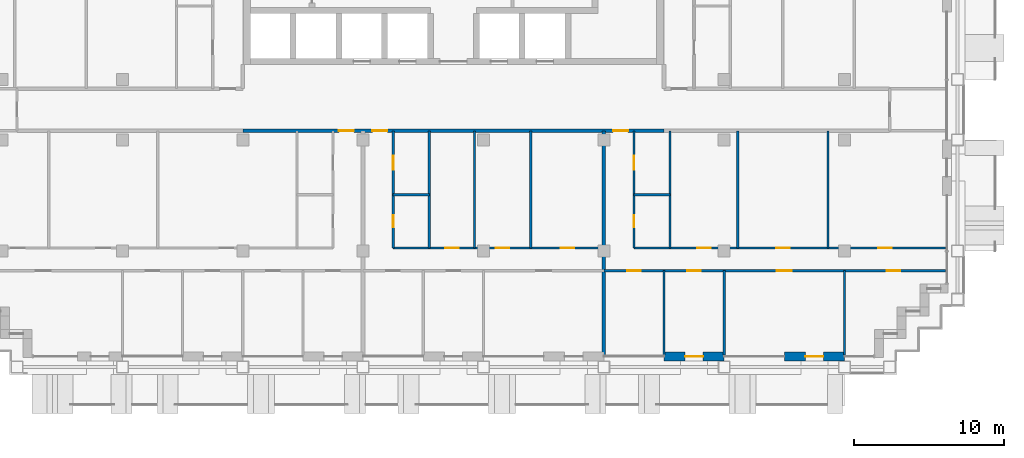
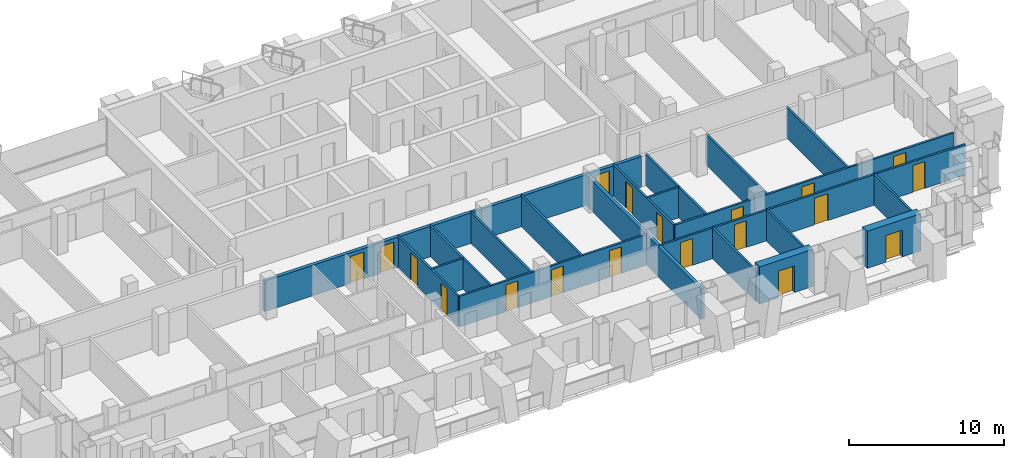
# One storey, part 9 of 16: 20 walls, 19 doors, 19 openings.
"""IFC4 building model written with IfcOpenShell, lengths in metres."""

from ifc_helpers import new_model, si_unit, direction, frame, frame_2d, origin, place, context, subcontext, project, spatial, rectangle, extrude, material, layer, layer_set, type_object, element, fill, save


model = new_model("IFC4")

# Units and contexts
model_context = context("Model", 3, precision=1e-05, world=origin(), true_north=direction((0.0, 1.0)))
body_context = subcontext(model_context, "Body", "Model", "MODEL_VIEW")
ifc_project = project(units=[si_unit("LENGTHUNIT", "METRE"), si_unit("AREAUNIT", "SQUARE_METRE"), si_unit("VOLUMEUNIT", "CUBIC_METRE"), si_unit("PLANEANGLEUNIT", "RADIAN"), si_unit("MASSUNIT", "GRAM", prefix="KILO")], contexts=[model_context])

# Site, building, storey
site_placement = place(None, origin())
site = spatial("IfcSite", under=ifc_project, at=site_placement, CompositionType="ELEMENT")
building_placement = place(site_placement, origin())
building = spatial("IfcBuilding", under=site, at=building_placement, Name="Vidyagriha Tower", CompositionType="ELEMENT")
storey_placement = place(building_placement, frame((0.0, 0.0, 132.60009765625)))
storey = spatial("IfcBuildingStorey", under=building, at=storey_placement, Name="L34", CompositionType="ELEMENT", Elevation=132.60009765625)

# Wall, opening, door
ifc_material_1 = material(Name="Precast concrete C40/50 with brick facing", Category="concrete")
ifc_layer_1 = layer(ifc_material_1, 0.60009765625)
ifc_layer_set_1 = layer_set([ifc_layer_1], Name="Precast concrete C40/50 with brick facing")
wall_type_1 = type_object("IfcWallType", Name="Brick-faced precast wall 600", PredefinedType="STANDARD", material=ifc_layer_set_1)
wall_1_placement = place(storey_placement, frame((14.0, -16.39990234375, 0.0)))
wall_1 = element("IfcWall", 1, at=wall_1_placement, inside=storey, type_object=wall_type_1, Name="Brick door bay wall L34 R23.12", PredefinedType="STANDARD", context=body_context, shape_type="SweptSolid", body=[
    extrude(rectangle(XDim=4.0, YDim=0.60009765625, at=frame_2d((2.0, 0.0))), origin(), (0.0, 0.0, 1.0), 2.919921875),
])
opening_1_placement = place(wall_1_placement, frame((1.39990234375, 0.0, 0.0)))
opening_1 = element("IfcOpeningElement", 2, at=opening_1_placement, cuts=wall_1, Name="Opening D34-72", PredefinedType="OPENING", context=body_context, shape_type="SweptSolid", body=[
    extrude(rectangle(XDim=1.199951171875, YDim=2.10009765625, at=frame_2d((0.60009765625, 1.050048828125))), frame((0.0, 0.31005859375, 0.0), z_axis=(0.0, -1.0, 0.0), x_axis=(1.0, 0.0, 0.0)), (0.0, 0.0, 1.0), 0.6201171875),
])
ifc_material_2 = material(Name="Aluminium framed glazed sliding door", Category="aluminium")
door_type_1 = type_object("IfcDoorType", Name="Balcony sliding door 1200x2100", OperationType="NOTDEFINED", PredefinedType="DOOR", material=ifc_material_2)
door_1_placement = place(opening_1_placement, origin())
door_1 = element("IfcDoor", 3, at=door_1_placement, inside=storey, type_object=door_type_1, Name="Door D34-72", OperationType="SLIDING_TO_LEFT", OverallHeight=2.10009765625, OverallWidth=1.199951171875, PredefinedType="DOOR", context=body_context, shape_type="SweptSolid", body=[
    extrude(rectangle(XDim=1.199951171875, YDim=2.10009765625, at=frame_2d((0.60009765625, 1.050048828125))), frame((0.0, 0.02490234375, 0.0), z_axis=(0.0, -1.0, 0.0), x_axis=(1.0, 0.0, 0.0)), (0.0, 0.0, 1.0), 0.050048828125),
])
fill(opening_1, door_1)

wall_2_placement = place(storey_placement, frame((22.0, -16.39990234375, 0.0)))
wall_2 = element("IfcWall", 4, at=wall_2_placement, inside=storey, type_object=wall_type_1, Name="Brick door bay wall L34 R23.14", PredefinedType="STANDARD", context=body_context, shape_type="SweptSolid", body=[
    extrude(rectangle(XDim=4.0, YDim=0.60009765625, at=frame_2d((2.0, 0.0))), origin(), (0.0, 0.0, 1.0), 2.919921875),
])
opening_2_placement = place(wall_2_placement, frame((1.39990234375, 0.0, 0.0)))
opening_2 = element("IfcOpeningElement", 5, at=opening_2_placement, cuts=wall_2, Name="Opening D34-73", PredefinedType="OPENING", context=body_context, shape_type="SweptSolid", body=[
    extrude(rectangle(XDim=1.199951171875, YDim=2.10009765625, at=frame_2d((0.60009765625, 1.050048828125))), frame((0.0, 0.31005859375, 0.0), z_axis=(0.0, -1.0, 0.0), x_axis=(1.0, 0.0, 0.0)), (0.0, 0.0, 1.0), 0.6201171875),
])
door_2_placement = place(opening_2_placement, origin())
door_2 = element("IfcDoor", 6, at=door_2_placement, inside=storey, type_object=door_type_1, Name="Door D34-73", OperationType="SLIDING_TO_LEFT", OverallHeight=2.10009765625, OverallWidth=1.199951171875, PredefinedType="DOOR", context=body_context, shape_type="SweptSolid", body=[
    extrude(rectangle(XDim=1.199951171875, YDim=2.10009765625, at=frame_2d((0.60009765625, 1.050048828125))), frame((0.0, 0.02490234375, 0.0), z_axis=(0.0, -1.0, 0.0), x_axis=(1.0, 0.0, 0.0)), (0.0, 0.0, 1.0), 0.050048828125),
])
fill(opening_2, door_2)

# Wall, openings, doors
ifc_material_3 = material(Name="Fired clay brick masonry", Category="masonry")
ifc_layer_2 = layer(ifc_material_3, 0.25)
ifc_layer_set_2 = layer_set([ifc_layer_2], Name="Fired clay brick masonry")
wall_type_2 = type_object("IfcWallType", Name="Fired clay brick corridor wall 250", PredefinedType="PARTITIONING", material=ifc_layer_set_2)
wall_3_placement = place(storey_placement, frame((14.0, -1.39990234375, 0.0), z_axis=(0.0, 0.0, 1.0), x_axis=(-1.0, 0.0, 0.0)))
wall_3 = element("IfcWall", 7, at=wall_3_placement, inside=storey, type_object=wall_type_2, Name="Wall all-L34-w112", PredefinedType="PARTITIONING", context=body_context, shape_type="SweptSolid", body=[
    extrude(rectangle(XDim=28.0, YDim=0.25, at=frame_2d((14.0, 0.0))), origin(), (0.0, 0.0, 1.0), 2.39990234375),
])
opening_3_placement = place(wall_3_placement, frame((20.617919921875, 0.0, 0.0)))
opening_3 = element("IfcOpeningElement", 8, at=opening_3_placement, cuts=wall_3, Name="Opening D34-25", PredefinedType="OPENING", context=body_context, shape_type="SweptSolid", body=[
    extrude(rectangle(XDim=1.0, YDim=2.10009765625, at=frame_2d((0.5, 1.050048828125))), frame((0.0, 0.135009765625, 0.0), z_axis=(0.0, -1.0, 0.0), x_axis=(1.0, 0.0, 0.0)), (0.0, 0.0, 1.0), 0.27001953125),
])
opening_4_placement = place(wall_3_placement, frame((18.382080078125, 0.0, 0.0)))
opening_4 = element("IfcOpeningElement", 9, at=opening_4_placement, cuts=wall_3, Name="Opening D34-34", PredefinedType="OPENING", context=body_context, shape_type="SweptSolid", body=[
    extrude(rectangle(XDim=1.0, YDim=2.10009765625, at=frame_2d((0.5, 1.050048828125))), frame((0.0, 0.135009765625, 0.0), z_axis=(0.0, -1.0, 0.0), x_axis=(1.0, 0.0, 0.0)), (0.0, 0.0, 1.0), 0.27001953125),
])
opening_5_placement = place(wall_3_placement, frame((2.382080078125, 0.0, 0.0)))
opening_5 = element("IfcOpeningElement", 10, at=opening_5_placement, cuts=wall_3, Name="Opening D34-44", PredefinedType="OPENING", context=body_context, shape_type="SweptSolid", body=[
    extrude(rectangle(XDim=1.0, YDim=2.10009765625, at=frame_2d((0.5, 1.050048828125))), frame((0.0, 0.135009765625, 0.0), z_axis=(0.0, -1.0, 0.0), x_axis=(1.0, 0.0, 0.0)), (0.0, 0.0, 1.0), 0.27001953125),
])
ifc_material_4 = material(Name="Fire-rated timber door leaf EI 60", Category="wood")
door_type_2 = type_object("IfcDoorType", Name="Flat entrance fire door 1000x2100", OperationType="NOTDEFINED", PredefinedType="DOOR", material=ifc_material_4)
door_3_placement = place(opening_3_placement, origin())
door_3 = element("IfcDoor", 11, at=door_3_placement, inside=storey, type_object=door_type_2, Name="Door D34-25", OperationType="SINGLE_SWING_LEFT", OverallHeight=2.10009765625, OverallWidth=1.0, PredefinedType="DOOR", context=body_context, shape_type="SweptSolid", body=[
    extrude(rectangle(XDim=1.0, YDim=2.10009765625, at=frame_2d((0.5, 1.050048828125))), frame((0.0, 0.02490234375, 0.0), z_axis=(0.0, -1.0, 0.0), x_axis=(1.0, 0.0, 0.0)), (0.0, 0.0, 1.0), 0.050048828125),
])
fill(opening_3, door_3)
door_4_placement = place(opening_4_placement, origin())
door_4 = element("IfcDoor", 12, at=door_4_placement, inside=storey, type_object=door_type_2, Name="Door D34-34", OperationType="SINGLE_SWING_RIGHT", OverallHeight=2.10009765625, OverallWidth=1.0, PredefinedType="DOOR", context=body_context, shape_type="SweptSolid", body=[
    extrude(rectangle(XDim=1.0, YDim=2.10009765625, at=frame_2d((0.5, 1.050048828125))), frame((0.0, 0.02490234375, 0.0), z_axis=(0.0, -1.0, 0.0), x_axis=(1.0, 0.0, 0.0)), (0.0, 0.0, 1.0), 0.050048828125),
])
fill(opening_4, door_4)
door_5_placement = place(opening_5_placement, origin())
door_5 = element("IfcDoor", 13, at=door_5_placement, inside=storey, type_object=door_type_2, Name="Door D34-44", OperationType="SINGLE_SWING_RIGHT", OverallHeight=2.10009765625, OverallWidth=1.0, PredefinedType="DOOR", context=body_context, shape_type="SweptSolid", body=[
    extrude(rectangle(XDim=1.0, YDim=2.10009765625, at=frame_2d((0.5, 1.050048828125))), frame((0.0, 0.02490234375, 0.0), z_axis=(0.0, -1.0, 0.0), x_axis=(1.0, 0.0, 0.0)), (0.0, 0.0, 1.0), 0.050048828125),
])
fill(opening_5, door_5)

# Walls
ifc_material_5 = material(Name="Fired clay brick masonry", Category="masonry")
ifc_layer_3 = layer(ifc_material_5, 0.25)
ifc_layer_set_3 = layer_set([ifc_layer_3], Name="Fired clay brick masonry")
wall_type_3 = type_object("IfcWallType", Name="Fired clay brick demising wall 250", PredefinedType="PARTITIONING", material=ifc_layer_set_3)
wall_4_placement = place(storey_placement, frame((10.0, -1.39990234375, 0.0), z_axis=(0.0, 0.0, 1.0), x_axis=(0.0, -1.0, 0.0)))
element("IfcWall", 14, at=wall_4_placement, inside=storey, type_object=wall_type_3, Name="Wall all-L34-w062", PredefinedType="PARTITIONING", context=body_context, shape_type="SweptSolid", body=[
    extrude(rectangle(XDim=14.91015625, YDim=0.25, at=frame_2d((7.455078125, 0.0))), origin(), (0.0, 0.0, 1.0), 2.39990234375),
])
ifc_material_6 = material(Name="Gypsum board partition")
ifc_layer_4 = layer(ifc_material_6, 0.14990234375)
ifc_layer_set_4 = layer_set([ifc_layer_4], Name="Gypsum board partition")
wall_type_4 = type_object("IfcWallType", Name="Gypsum board partition 150", PredefinedType="PARTITIONING", material=ifc_layer_set_4)
wall_5_placement = place(storey_placement, frame((-1.60009765625, -5.64990234375, 0.0), z_axis=(0.0, 0.0, 1.0), x_axis=(-1.0, 0.0, 0.0)))
element("IfcWall", 15, at=wall_5_placement, inside=storey, type_object=wall_type_4, Name="Wall all-L34-w026", PredefinedType="PARTITIONING", context=body_context, shape_type="SweptSolid", body=[
    extrude(rectangle(XDim=2.39990234375, YDim=0.14990234375, at=frame_2d((1.199951171875, 0.0))), origin(), (0.0, 0.0, 1.0), 2.39990234375),
])
for number, where, z_axis, x_axis, name in (
    (16, (-1.60009765625, -1.39990234375, 0.0), (0.0, 0.0, 1.0), (0.0, -1.0, 0.0), "Wall all-L34-w027"),
    (17, (1.39990234375, -1.39990234375, 0.0), (0.0, 0.0, 1.0), (0.0, -1.0, 0.0), "Wall all-L34-w028"),
    (18, (5.14990234375, -1.39990234375, 0.0), (0.0, 0.0, 1.0), (0.0, -1.0, 0.0), "Wall all-L34-w029"),
):
    element("IfcWall", number, at=place(storey_placement, frame(where, z_axis=z_axis, x_axis=x_axis)), inside=storey, type_object=wall_type_4, Name=name, PredefinedType="PARTITIONING", context=body_context, shape_type="SweptSolid", body=[
        extrude(rectangle(XDim=7.800048828125, YDim=0.14990234375, at=frame_2d((3.89990234375, 0.0))), origin(), (0.0, 0.0, 1.0), 2.39990234375),
    ])

# Wall, openings, doors
wall_6_placement = place(storey_placement, frame((-4.0, -9.199951171875, 0.0)))
wall_6 = element("IfcWall", 19, at=wall_6_placement, inside=storey, type_object=wall_type_4, Name="Wall all-L34-w030", PredefinedType="PARTITIONING", context=body_context, shape_type="SweptSolid", body=[
    extrude(rectangle(XDim=14.0, YDim=0.14990234375, at=frame_2d((7.0, 0.0))), origin(), (0.0, 0.0, 1.0), 2.39990234375),
])
opening_6_placement = place(wall_6_placement, frame((3.449951171875, 0.0, 0.0)))
opening_6 = element("IfcOpeningElement", 20, at=opening_6_placement, cuts=wall_6, Name="Opening D34-28", PredefinedType="OPENING", context=body_context, shape_type="SweptSolid", body=[
    extrude(rectangle(XDim=0.89990234375, YDim=2.10009765625, at=frame_2d((0.449951171875, 1.050048828125))), frame((0.0, 0.0849609375, 0.0), z_axis=(0.0, -1.0, 0.0), x_axis=(1.0, 0.0, 0.0)), (0.0, 0.0, 1.0), 0.169921875),
])
opening_7_placement = place(wall_6_placement, frame((6.824951171875, 0.0, 0.0)))
opening_7 = element("IfcOpeningElement", 21, at=opening_7_placement, cuts=wall_6, Name="Opening D34-29", PredefinedType="OPENING", context=body_context, shape_type="SweptSolid", body=[
    extrude(rectangle(XDim=0.89990234375, YDim=2.10009765625, at=frame_2d((0.449951171875, 1.050048828125))), frame((0.0, 0.0849609375, 0.0), z_axis=(0.0, -1.0, 0.0), x_axis=(1.0, 0.0, 0.0)), (0.0, 0.0, 1.0), 0.169921875),
])
opening_8_placement = place(wall_6_placement, frame((11.125, 0.0, 0.0)))
opening_8 = element("IfcOpeningElement", 22, at=opening_8_placement, cuts=wall_6, Name="Opening D34-30", PredefinedType="OPENING", context=body_context, shape_type="SweptSolid", body=[
    extrude(rectangle(XDim=0.89990234375, YDim=2.10009765625, at=frame_2d((0.449951171875, 1.050048828125))), frame((0.0, 0.0849609375, 0.0), z_axis=(0.0, -1.0, 0.0), x_axis=(1.0, 0.0, 0.0)), (0.0, 0.0, 1.0), 0.169921875),
])
ifc_material_7 = material(Name="Timber door leaf", Category="wood")
door_type_3 = type_object("IfcDoorType", Name="Room door 900x2100", OperationType="NOTDEFINED", PredefinedType="DOOR", material=ifc_material_7)
door_6_placement = place(opening_6_placement, origin())
door_6 = element("IfcDoor", 23, at=door_6_placement, inside=storey, type_object=door_type_3, Name="Door D34-28", OperationType="SINGLE_SWING_RIGHT", OverallHeight=2.10009765625, OverallWidth=0.89990234375, PredefinedType="DOOR", context=body_context, shape_type="SweptSolid", body=[
    extrude(rectangle(XDim=0.89990234375, YDim=2.10009765625, at=frame_2d((0.449951171875, 1.050048828125))), frame((0.0, 0.02490234375, 0.0), z_axis=(0.0, -1.0, 0.0), x_axis=(1.0, 0.0, 0.0)), (0.0, 0.0, 1.0), 0.050048828125),
])
fill(opening_6, door_6)
door_7_placement = place(opening_7_placement, origin())
door_7 = element("IfcDoor", 24, at=door_7_placement, inside=storey, type_object=door_type_3, Name="Door D34-29", OperationType="SINGLE_SWING_RIGHT", OverallHeight=2.10009765625, OverallWidth=0.89990234375, PredefinedType="DOOR", context=body_context, shape_type="SweptSolid", body=[
    extrude(rectangle(XDim=0.89990234375, YDim=2.10009765625, at=frame_2d((0.449951171875, 1.050048828125))), frame((0.0, 0.02490234375, 0.0), z_axis=(0.0, -1.0, 0.0), x_axis=(1.0, 0.0, 0.0)), (0.0, 0.0, 1.0), 0.050048828125),
])
fill(opening_7, door_7)
door_8_placement = place(opening_8_placement, origin())
door_8 = element("IfcDoor", 25, at=door_8_placement, inside=storey, type_object=door_type_3, Name="Door D34-30", OperationType="SINGLE_SWING_LEFT", OverallHeight=2.10009765625, OverallWidth=0.89990234375, PredefinedType="DOOR", context=body_context, shape_type="SweptSolid", body=[
    extrude(rectangle(XDim=0.89990234375, YDim=2.10009765625, at=frame_2d((0.449951171875, 1.050048828125))), frame((0.0, 0.02490234375, 0.0), z_axis=(0.0, -1.0, 0.0), x_axis=(1.0, 0.0, 0.0)), (0.0, 0.0, 1.0), 0.050048828125),
])
fill(opening_8, door_8)

# Walls
wall_7_placement = place(storey_placement, frame((14.39990234375, -5.64990234375, 0.0), z_axis=(0.0, 0.0, 1.0), x_axis=(-1.0, 0.0, 0.0)))
element("IfcWall", 26, at=wall_7_placement, inside=storey, type_object=wall_type_4, Name="Wall all-L34-w045", PredefinedType="PARTITIONING", context=body_context, shape_type="SweptSolid", body=[
    extrude(rectangle(XDim=2.39990234375, YDim=0.14990234375, at=frame_2d((1.199951171875, 0.0))), origin(), (0.0, 0.0, 1.0), 2.39990234375),
])
for number, where, z_axis, x_axis, name in (
    (27, (14.39990234375, -1.39990234375, 0.0), (0.0, 0.0, 1.0), (0.0, -1.0, 0.0), "Wall all-L34-w046"),
    (28, (18.89990234375, -1.39990234375, 0.0), (0.0, 0.0, 1.0), (0.0, -1.0, 0.0), "Wall all-L34-w047"),
    (29, (24.89990234375, -1.39990234375, 0.0), (0.0, 0.0, 1.0), (0.0, -1.0, 0.0), "Wall all-L34-w048"),
):
    element("IfcWall", number, at=place(storey_placement, frame(where, z_axis=z_axis, x_axis=x_axis)), inside=storey, type_object=wall_type_4, Name=name, PredefinedType="PARTITIONING", context=body_context, shape_type="SweptSolid", body=[
        extrude(rectangle(XDim=7.800048828125, YDim=0.14990234375, at=frame_2d((3.89990234375, 0.0))), origin(), (0.0, 0.0, 1.0), 2.39990234375),
    ])

# Wall, openings, doors
wall_8_placement = place(storey_placement, frame((12.0, -9.199951171875, 0.0)))
wall_8 = element("IfcWall", 30, at=wall_8_placement, inside=storey, type_object=wall_type_4, Name="Wall all-L34-w049", PredefinedType="PARTITIONING", context=body_context, shape_type="SweptSolid", body=[
    extrude(rectangle(XDim=20.719970703125, YDim=0.14990234375, at=frame_2d((10.35986328125, 0.0))), origin(), (0.0, 0.0, 1.0), 2.39990234375),
])
opening_9_placement = place(wall_8_placement, frame((4.199951171875, 0.0, 0.0)))
opening_9 = element("IfcOpeningElement", 31, at=opening_9_placement, cuts=wall_8, Name="Opening D34-37", PredefinedType="OPENING", context=body_context, shape_type="SweptSolid", body=[
    extrude(rectangle(XDim=0.89990234375, YDim=2.10009765625, at=frame_2d((0.449951171875, 1.050048828125))), frame((0.0, 0.0849609375, 0.0), z_axis=(0.0, -1.0, 0.0), x_axis=(1.0, 0.0, 0.0)), (0.0, 0.0, 1.0), 0.169921875),
])
opening_10_placement = place(wall_8_placement, frame((9.449951171875, 0.0, 0.0)))
opening_10 = element("IfcOpeningElement", 32, at=opening_10_placement, cuts=wall_8, Name="Opening D34-38", PredefinedType="OPENING", context=body_context, shape_type="SweptSolid", body=[
    extrude(rectangle(XDim=0.89990234375, YDim=2.10009765625, at=frame_2d((0.449951171875, 1.050048828125))), frame((0.0, 0.0849609375, 0.0), z_axis=(0.0, -1.0, 0.0), x_axis=(1.0, 0.0, 0.0)), (0.0, 0.0, 1.0), 0.169921875),
])
opening_11_placement = place(wall_8_placement, frame((16.25, 0.0, 0.0)))
opening_11 = element("IfcOpeningElement", 33, at=opening_11_placement, cuts=wall_8, Name="Opening D34-39", PredefinedType="OPENING", context=body_context, shape_type="SweptSolid", body=[
    extrude(rectangle(XDim=0.89990234375, YDim=2.10009765625, at=frame_2d((0.449951171875, 1.050048828125))), frame((0.0, 0.0849609375, 0.0), z_axis=(0.0, -1.0, 0.0), x_axis=(1.0, 0.0, 0.0)), (0.0, 0.0, 1.0), 0.169921875),
])
door_9_placement = place(opening_9_placement, origin())
door_9 = element("IfcDoor", 34, at=door_9_placement, inside=storey, type_object=door_type_3, Name="Door D34-37", OperationType="SINGLE_SWING_LEFT", OverallHeight=2.10009765625, OverallWidth=0.89990234375, PredefinedType="DOOR", context=body_context, shape_type="SweptSolid", body=[
    extrude(rectangle(XDim=0.89990234375, YDim=2.10009765625, at=frame_2d((0.449951171875, 1.050048828125))), frame((0.0, 0.02490234375, 0.0), z_axis=(0.0, -1.0, 0.0), x_axis=(1.0, 0.0, 0.0)), (0.0, 0.0, 1.0), 0.050048828125),
])
fill(opening_9, door_9)
door_10_placement = place(opening_10_placement, origin())
door_10 = element("IfcDoor", 35, at=door_10_placement, inside=storey, type_object=door_type_3, Name="Door D34-38", OperationType="SINGLE_SWING_RIGHT", OverallHeight=2.10009765625, OverallWidth=0.89990234375, PredefinedType="DOOR", context=body_context, shape_type="SweptSolid", body=[
    extrude(rectangle(XDim=0.89990234375, YDim=2.10009765625, at=frame_2d((0.449951171875, 1.050048828125))), frame((0.0, 0.02490234375, 0.0), z_axis=(0.0, -1.0, 0.0), x_axis=(1.0, 0.0, 0.0)), (0.0, 0.0, 1.0), 0.050048828125),
])
fill(opening_10, door_10)
door_11_placement = place(opening_11_placement, origin())
door_11 = element("IfcDoor", 36, at=door_11_placement, inside=storey, type_object=door_type_3, Name="Door D34-39", OperationType="SINGLE_SWING_RIGHT", OverallHeight=2.10009765625, OverallWidth=0.89990234375, PredefinedType="DOOR", context=body_context, shape_type="SweptSolid", body=[
    extrude(rectangle(XDim=0.89990234375, YDim=2.10009765625, at=frame_2d((0.449951171875, 1.050048828125))), frame((0.0, 0.02490234375, 0.0), z_axis=(0.0, -1.0, 0.0), x_axis=(1.0, 0.0, 0.0)), (0.0, 0.0, 1.0), 0.050048828125),
])
fill(opening_11, door_11)

wall_9_placement = place(storey_placement, frame((32.719970703125, -10.699951171875, 0.0), z_axis=(0.0, 0.0, 1.0), x_axis=(-1.0, 0.0, 0.0)))
wall_9 = element("IfcWall", 37, at=wall_9_placement, inside=storey, type_object=wall_type_4, Name="Wall all-L34-w053", PredefinedType="PARTITIONING", context=body_context, shape_type="SweptSolid", body=[
    extrude(rectangle(XDim=22.719970703125, YDim=0.14990234375, at=frame_2d((11.35986328125, 0.0))), origin(), (0.0, 0.0, 1.0), 2.39990234375),
])
opening_12_placement = place(wall_9_placement, frame((20.27001953125, 0.0, 0.0)))
opening_12 = element("IfcOpeningElement", 38, at=opening_12_placement, cuts=wall_9, Name="Opening D34-40", PredefinedType="OPENING", context=body_context, shape_type="SweptSolid", body=[
    extrude(rectangle(XDim=0.89990234375, YDim=2.10009765625, at=frame_2d((0.449951171875, 1.050048828125))), frame((0.0, 0.0849609375, 0.0), z_axis=(0.0, -1.0, 0.0), x_axis=(1.0, 0.0, 0.0)), (0.0, 0.0, 1.0), 0.169921875),
])
opening_13_placement = place(wall_9_placement, frame((16.27001953125, 0.0, 0.0)))
opening_13 = element("IfcOpeningElement", 39, at=opening_13_placement, cuts=wall_9, Name="Opening D34-41", PredefinedType="OPENING", context=body_context, shape_type="SweptSolid", body=[
    extrude(rectangle(XDim=0.89990234375, YDim=2.10009765625, at=frame_2d((0.449951171875, 1.050048828125))), frame((0.0, 0.0849609375, 0.0), z_axis=(0.0, -1.0, 0.0), x_axis=(1.0, 0.0, 0.0)), (0.0, 0.0, 1.0), 0.169921875),
])
opening_14_placement = place(wall_9_placement, frame((10.219970703125, 0.0, 0.0)))
opening_14 = element("IfcOpeningElement", 40, at=opening_14_placement, cuts=wall_9, Name="Opening D34-42", PredefinedType="OPENING", context=body_context, shape_type="SweptSolid", body=[
    extrude(rectangle(XDim=1.0, YDim=2.10009765625, at=frame_2d((0.5, 1.050048828125))), frame((0.0, 0.0849609375, 0.0), z_axis=(0.0, -1.0, 0.0), x_axis=(1.0, 0.0, 0.0)), (0.0, 0.0, 1.0), 0.169921875),
])
opening_15_placement = place(wall_9_placement, frame((3.02001953125, 0.0, 0.0)))
opening_15 = element("IfcOpeningElement", 41, at=opening_15_placement, cuts=wall_9, Name="Opening D34-43", PredefinedType="OPENING", context=body_context, shape_type="SweptSolid", body=[
    extrude(rectangle(XDim=0.89990234375, YDim=2.10009765625, at=frame_2d((0.449951171875, 1.050048828125))), frame((0.0, 0.0849609375, 0.0), z_axis=(0.0, -1.0, 0.0), x_axis=(1.0, 0.0, 0.0)), (0.0, 0.0, 1.0), 0.169921875),
])
ifc_material_8 = material(Name="Timber door leaf", Category="wood")
door_type_4 = type_object("IfcDoorType", Name="Room door 1000x2100", OperationType="NOTDEFINED", PredefinedType="DOOR", material=ifc_material_8)
door_12_placement = place(opening_14_placement, origin())
door_12 = element("IfcDoor", 42, at=door_12_placement, inside=storey, type_object=door_type_4, Name="Door D34-42", OperationType="SINGLE_SWING_RIGHT", OverallHeight=2.10009765625, OverallWidth=1.0, PredefinedType="DOOR", context=body_context, shape_type="SweptSolid", body=[
    extrude(rectangle(XDim=1.0, YDim=2.10009765625, at=frame_2d((0.5, 1.050048828125))), frame((0.0, 0.02490234375, 0.0), z_axis=(0.0, -1.0, 0.0), x_axis=(1.0, 0.0, 0.0)), (0.0, 0.0, 1.0), 0.050048828125),
])
fill(opening_14, door_12)
door_13_placement = place(opening_12_placement, origin())
door_13 = element("IfcDoor", 43, at=door_13_placement, inside=storey, type_object=door_type_3, Name="Door D34-40", OperationType="SINGLE_SWING_RIGHT", OverallHeight=2.10009765625, OverallWidth=0.89990234375, PredefinedType="DOOR", context=body_context, shape_type="SweptSolid", body=[
    extrude(rectangle(XDim=0.89990234375, YDim=2.10009765625, at=frame_2d((0.449951171875, 1.050048828125))), frame((0.0, 0.02490234375, 0.0), z_axis=(0.0, -1.0, 0.0), x_axis=(1.0, 0.0, 0.0)), (0.0, 0.0, 1.0), 0.050048828125),
])
fill(opening_12, door_13)
door_14_placement = place(opening_13_placement, origin())
door_14 = element("IfcDoor", 44, at=door_14_placement, inside=storey, type_object=door_type_3, Name="Door D34-41", OperationType="SINGLE_SWING_RIGHT", OverallHeight=2.10009765625, OverallWidth=0.89990234375, PredefinedType="DOOR", context=body_context, shape_type="SweptSolid", body=[
    extrude(rectangle(XDim=0.89990234375, YDim=2.10009765625, at=frame_2d((0.449951171875, 1.050048828125))), frame((0.0, 0.02490234375, 0.0), z_axis=(0.0, -1.0, 0.0), x_axis=(1.0, 0.0, 0.0)), (0.0, 0.0, 1.0), 0.050048828125),
])
fill(opening_13, door_14)
door_15_placement = place(opening_15_placement, origin())
door_15 = element("IfcDoor", 45, at=door_15_placement, inside=storey, type_object=door_type_3, Name="Door D34-43", OperationType="SINGLE_SWING_RIGHT", OverallHeight=2.10009765625, OverallWidth=0.89990234375, PredefinedType="DOOR", context=body_context, shape_type="SweptSolid", body=[
    extrude(rectangle(XDim=0.89990234375, YDim=2.10009765625, at=frame_2d((0.449951171875, 1.050048828125))), frame((0.0, 0.02490234375, 0.0), z_axis=(0.0, -1.0, 0.0), x_axis=(1.0, 0.0, 0.0)), (0.0, 0.0, 1.0), 0.050048828125),
])
fill(opening_15, door_15)

# Walls
wall_10_placement = place(storey_placement, frame((14.0, -10.699951171875, 0.0), z_axis=(0.0, 0.0, 1.0), x_axis=(0.0, -1.0, 0.0)))
element("IfcWall", 46, at=wall_10_placement, inside=storey, type_object=wall_type_4, Name="Wall all-L34-w058", PredefinedType="PARTITIONING", context=body_context, shape_type="SweptSolid", body=[
    extrude(rectangle(XDim=5.62109375, YDim=0.14990234375, at=frame_2d((2.810546875, 0.0))), origin(), (0.0, 0.0, 1.0), 2.39990234375),
])
for number, where, z_axis, x_axis, name in (
    (47, (18.0, -10.699951171875, 0.0), (0.0, 0.0, 1.0), (0.0, -1.0, 0.0), "Wall all-L34-w059"),
    (48, (26.0, -10.699951171875, 0.0), (0.0, 0.0, 1.0), (0.0, -1.0, 0.0), "Wall all-L34-w060"),
):
    element("IfcWall", number, at=place(storey_placement, frame(where, z_axis=z_axis, x_axis=x_axis)), inside=storey, type_object=wall_type_4, Name=name, PredefinedType="PARTITIONING", context=body_context, shape_type="SweptSolid", body=[
        extrude(rectangle(XDim=5.610107421875, YDim=0.14990234375, at=frame_2d((2.80517578125, 0.0))), origin(), (0.0, 0.0, 1.0), 2.39990234375),
    ])

# Wall, openings, doors
ifc_material_9 = material(Name="Moisture resistant gypsum board partition")
ifc_layer_5 = layer(ifc_material_9, 0.14990234375)
ifc_layer_set_5 = layer_set([ifc_layer_5], Name="Moisture resistant gypsum board partition")
wall_type_5 = type_object("IfcWallType", Name="Gypsum board wet-area partition 150", PredefinedType="PARTITIONING", material=ifc_layer_set_5)
wall_11_placement = place(storey_placement, frame((-4.0, -1.39990234375, 0.0), z_axis=(0.0, 0.0, 1.0), x_axis=(0.0, -1.0, 0.0)))
wall_11 = element("IfcWall", 49, at=wall_11_placement, inside=storey, type_object=wall_type_5, Name="Wall all-L34-w023", PredefinedType="PARTITIONING", context=body_context, shape_type="SweptSolid", body=[
    extrude(rectangle(XDim=7.800048828125, YDim=0.14990234375, at=frame_2d((3.89990234375, 0.0))), origin(), (0.0, 0.0, 1.0), 2.39990234375),
])
opening_16_placement = place(wall_11_placement, frame((1.675048828125, 0.0, 0.0)))
opening_16 = element("IfcOpeningElement", 50, at=opening_16_placement, cuts=wall_11, Name="Opening D34-26", PredefinedType="OPENING", context=body_context, shape_type="SweptSolid", body=[
    extrude(rectangle(XDim=0.89990234375, YDim=2.10009765625, at=frame_2d((0.449951171875, 1.050048828125))), frame((0.0, 0.0849609375, 0.0), z_axis=(0.0, -1.0, 0.0), x_axis=(1.0, 0.0, 0.0)), (0.0, 0.0, 1.0), 0.169921875),
])
opening_17_placement = place(wall_11_placement, frame((5.625, 0.0, 0.0)))
opening_17 = element("IfcOpeningElement", 51, at=opening_17_placement, cuts=wall_11, Name="Opening D34-27", PredefinedType="OPENING", context=body_context, shape_type="SweptSolid", body=[
    extrude(rectangle(XDim=0.800048828125, YDim=2.10009765625, at=frame_2d((0.39990234375, 1.050048828125))), frame((0.0, 0.0849609375, 0.0), z_axis=(0.0, -1.0, 0.0), x_axis=(1.0, 0.0, 0.0)), (0.0, 0.0, 1.0), 0.169921875),
])
ifc_material_10 = material(Name="Timber door leaf", Category="wood")
door_type_5 = type_object("IfcDoorType", Name="Bathroom door 800x2100", OperationType="NOTDEFINED", PredefinedType="DOOR", material=ifc_material_10)
door_16_placement = place(opening_17_placement, origin())
door_16 = element("IfcDoor", 52, at=door_16_placement, inside=storey, type_object=door_type_5, Name="Door D34-27", OperationType="SINGLE_SWING_RIGHT", OverallHeight=2.10009765625, OverallWidth=0.800048828125, PredefinedType="DOOR", context=body_context, shape_type="SweptSolid", body=[
    extrude(rectangle(XDim=0.800048828125, YDim=2.10009765625, at=frame_2d((0.39990234375, 1.050048828125))), frame((0.0, 0.02490234375, 0.0), z_axis=(0.0, -1.0, 0.0), x_axis=(1.0, 0.0, 0.0)), (0.0, 0.0, 1.0), 0.050048828125),
])
fill(opening_17, door_16)
ifc_material_11 = material(Name="Timber door leaf", Category="wood")
door_type_6 = type_object("IfcDoorType", Name="Kitchen door 900x2100", OperationType="NOTDEFINED", PredefinedType="DOOR", material=ifc_material_11)
door_17_placement = place(opening_16_placement, origin())
door_17 = element("IfcDoor", 53, at=door_17_placement, inside=storey, type_object=door_type_6, Name="Door D34-26", OperationType="SINGLE_SWING_LEFT", OverallHeight=2.10009765625, OverallWidth=0.89990234375, PredefinedType="DOOR", context=body_context, shape_type="SweptSolid", body=[
    extrude(rectangle(XDim=0.89990234375, YDim=2.10009765625, at=frame_2d((0.449951171875, 1.050048828125))), frame((0.0, 0.02490234375, 0.0), z_axis=(0.0, -1.0, 0.0), x_axis=(1.0, 0.0, 0.0)), (0.0, 0.0, 1.0), 0.050048828125),
])
fill(opening_16, door_17)

wall_12_placement = place(storey_placement, frame((12.0, -1.39990234375, 0.0), z_axis=(0.0, 0.0, 1.0), x_axis=(0.0, -1.0, 0.0)))
wall_12 = element("IfcWall", 54, at=wall_12_placement, inside=storey, type_object=wall_type_5, Name="Wall all-L34-w042", PredefinedType="PARTITIONING", context=body_context, shape_type="SweptSolid", body=[
    extrude(rectangle(XDim=7.800048828125, YDim=0.14990234375, at=frame_2d((3.89990234375, 0.0))), origin(), (0.0, 0.0, 1.0), 2.39990234375),
])
opening_18_placement = place(wall_12_placement, frame((1.675048828125, 0.0, 0.0)))
opening_18 = element("IfcOpeningElement", 55, at=opening_18_placement, cuts=wall_12, Name="Opening D34-35", PredefinedType="OPENING", context=body_context, shape_type="SweptSolid", body=[
    extrude(rectangle(XDim=0.89990234375, YDim=2.10009765625, at=frame_2d((0.449951171875, 1.050048828125))), frame((0.0, 0.0849609375, 0.0), z_axis=(0.0, -1.0, 0.0), x_axis=(1.0, 0.0, 0.0)), (0.0, 0.0, 1.0), 0.169921875),
])
opening_19_placement = place(wall_12_placement, frame((5.625, 0.0, 0.0)))
opening_19 = element("IfcOpeningElement", 56, at=opening_19_placement, cuts=wall_12, Name="Opening D34-36", PredefinedType="OPENING", context=body_context, shape_type="SweptSolid", body=[
    extrude(rectangle(XDim=0.800048828125, YDim=2.10009765625, at=frame_2d((0.39990234375, 1.050048828125))), frame((0.0, 0.0849609375, 0.0), z_axis=(0.0, -1.0, 0.0), x_axis=(1.0, 0.0, 0.0)), (0.0, 0.0, 1.0), 0.169921875),
])
door_18_placement = place(opening_19_placement, origin())
door_18 = element("IfcDoor", 57, at=door_18_placement, inside=storey, type_object=door_type_5, Name="Door D34-36", OperationType="SINGLE_SWING_RIGHT", OverallHeight=2.10009765625, OverallWidth=0.800048828125, PredefinedType="DOOR", context=body_context, shape_type="SweptSolid", body=[
    extrude(rectangle(XDim=0.800048828125, YDim=2.10009765625, at=frame_2d((0.39990234375, 1.050048828125))), frame((0.0, 0.02490234375, 0.0), z_axis=(0.0, -1.0, 0.0), x_axis=(1.0, 0.0, 0.0)), (0.0, 0.0, 1.0), 0.050048828125),
])
fill(opening_19, door_18)
door_19_placement = place(opening_18_placement, origin())
door_19 = element("IfcDoor", 58, at=door_19_placement, inside=storey, type_object=door_type_6, Name="Door D34-35", OperationType="SINGLE_SWING_LEFT", OverallHeight=2.10009765625, OverallWidth=0.89990234375, PredefinedType="DOOR", context=body_context, shape_type="SweptSolid", body=[
    extrude(rectangle(XDim=0.89990234375, YDim=2.10009765625, at=frame_2d((0.449951171875, 1.050048828125))), frame((0.0, 0.02490234375, 0.0), z_axis=(0.0, -1.0, 0.0), x_axis=(1.0, 0.0, 0.0)), (0.0, 0.0, 1.0), 0.050048828125),
])
fill(opening_18, door_19)

save(model, "model.ifc")
